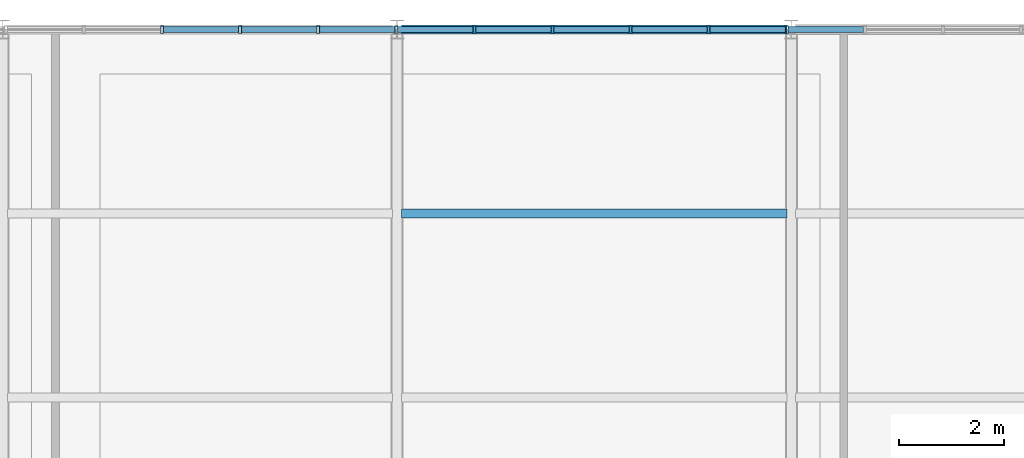
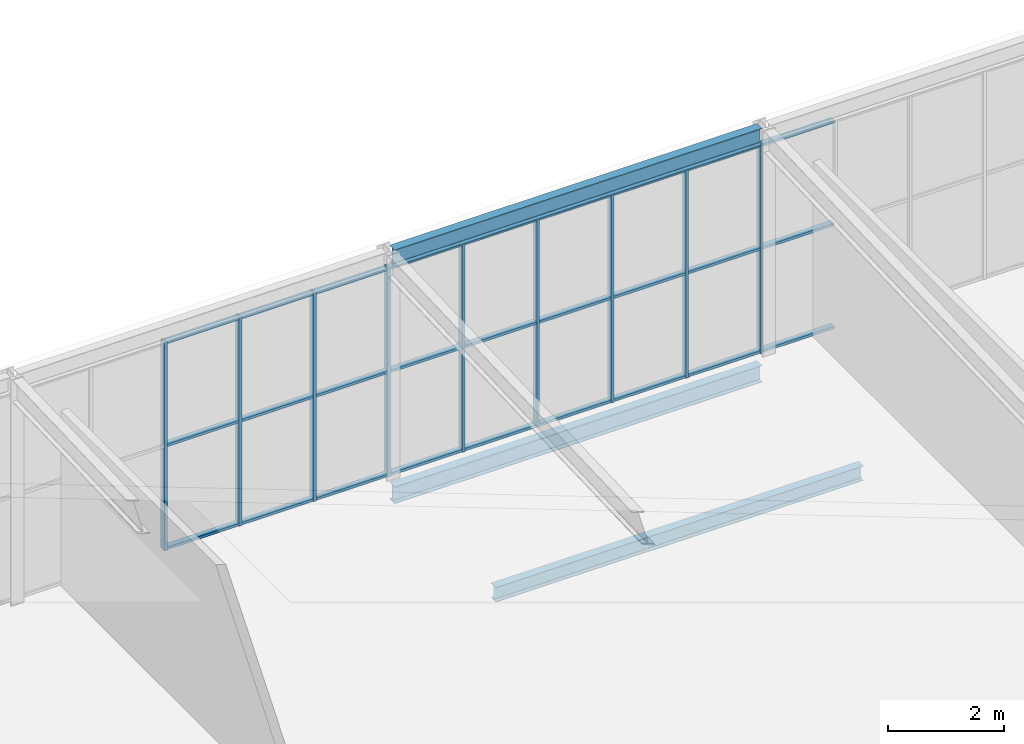
# One storey, part 19 of 27: 36 members, 3 beams, 1 element without a shape of its own.
"""IFC4 building model written with IfcOpenShell, lengths in metres."""

from ifc_helpers import new_model, si_unit, direction, frame, origin, origin_2d, place, context, subcontext, project, spatial, hollow_rectangle, i_section, extrude, material, layer, layer_set, material_profile, profile_set, type_object, element, aggregate, save


model = new_model("IFC4")

# Units and contexts
model_context = context("Model", 3, precision=1e-05, world=origin(), true_north=direction((0.0, 1.0)))
body_context = subcontext(model_context, "Body", "Model", "MODEL_VIEW")
ifc_project = project(units=[si_unit("LENGTHUNIT", "METRE"), si_unit("AREAUNIT", "SQUARE_METRE"), si_unit("VOLUMEUNIT", "CUBIC_METRE"), si_unit("PLANEANGLEUNIT", "RADIAN"), si_unit("MASSUNIT", "GRAM", prefix="KILO")], contexts=[model_context])

# Site, building, storey
site_placement = place(None, origin())
site = spatial("IfcSite", under=ifc_project, at=site_placement, CompositionType="ELEMENT")
building_placement = place(site_placement, origin())
building = spatial("IfcBuilding", under=site, at=building_placement, Name="Solvenia Promenade Tram Depot", CompositionType="ELEMENT")
storey_placement = place(building_placement, frame((0.0, 0.0, 13.5)))
storey = spatial("IfcBuildingStorey", under=building, at=storey_placement, Name="L03", CompositionType="ELEMENT", Elevation=13.5)

# Curtain wall, members
ifc_material_1 = material(Name="Anodized aluminium AW-6063 T6", Category="aluminium")
ifc_layer = layer(ifc_material_1, 0.199951171875, Name="Anodized aluminium AW-6063 T6", Category="aluminium")
ifc_layer_set = layer_set([ifc_layer], Name="Anodized aluminium AW-6063 T6")
curtain_wall_type = type_object("IfcCurtainWallType", Name="CW-OCC-1500", PredefinedType="NOTDEFINED", material=ifc_layer_set)
curtain_wall_placement = place(storey_placement, origin())
curtain_wall = element("IfcCurtainWall", 1, at=curtain_wall_placement, inside=storey, type_object=curtain_wall_type, Name="Curtain Wall CW-L03-V2N", PredefinedType="NOTDEFINED")
ifc_material_profile_1 = material_profile(ifc_material_1, hollow_rectangle(XDim=0.139892578125, YDim=0.054931640625, WallThickness=0.00390625, at=origin_2d()), Name="ALU-M4", Category="aluminium")
ifc_profile_set_1 = profile_set([ifc_material_profile_1], Name="Anodized aluminium AW-6063 T6")
member_type_1 = type_object("IfcMemberType", Name="CWM-Mullion-4", PredefinedType="MULLION", material=ifc_profile_set_1)
member_1_placement = place(storey_placement, frame((138.028564453125, 66.0, 0.0), z_axis=(0.0, 0.0, 1.0), x_axis=(0.0, 1.0, 0.0)))
member_1 = element("IfcMember", 2, at=member_1_placement, type_object=member_type_1, Name="CW-8 mullion 13", PredefinedType="MULLION", context=body_context, shape_type="SweptSolid", body=[
    extrude(hollow_rectangle(XDim=0.139892578125, YDim=0.054931640625, WallThickness=0.00390625, at=origin_2d()), origin(), (0.0, 0.0, 1.0), 4.39990234375),
])
member_2_placement = place(storey_placement, frame((139.514404296875, 66.0, 0.0), z_axis=(0.0, 0.0, 1.0), x_axis=(0.0, 1.0, 0.0)))
member_2 = element("IfcMember", 3, at=member_2_placement, type_object=member_type_1, Name="CW-8 mullion 14", PredefinedType="MULLION", context=body_context, shape_type="SweptSolid", body=[
    extrude(hollow_rectangle(XDim=0.139892578125, YDim=0.054931640625, WallThickness=0.00390625, at=origin_2d()), origin(), (0.0, 0.0, 1.0), 4.39990234375),
])
member_3_placement = place(storey_placement, frame((141.0, 66.0, 0.0), z_axis=(0.0, 0.0, 1.0), x_axis=(0.0, 1.0, 0.0)))
member_3 = element("IfcMember", 4, at=member_3_placement, type_object=member_type_1, Name="CW-8 mullion 15", PredefinedType="MULLION", context=body_context, shape_type="SweptSolid", body=[
    extrude(hollow_rectangle(XDim=0.139892578125, YDim=0.054931640625, WallThickness=0.00390625, at=origin_2d()), origin(), (0.0, 0.0, 1.0), 4.39990234375),
])
member_4_placement = place(storey_placement, frame((142.485595703125, 66.0, 0.0), z_axis=(0.0, 0.0, 1.0), x_axis=(0.0, 1.0, 0.0)))
member_4 = element("IfcMember", 5, at=member_4_placement, type_object=member_type_1, Name="CW-8 mullion 16", PredefinedType="MULLION", context=body_context, shape_type="SweptSolid", body=[
    extrude(hollow_rectangle(XDim=0.139892578125, YDim=0.054931640625, WallThickness=0.00390625, at=origin_2d()), origin(), (0.0, 0.0, 1.0), 4.39990234375),
])
member_5_placement = place(storey_placement, frame((143.971435546875, 66.0, 0.0), z_axis=(0.0, 0.0, 1.0), x_axis=(0.0, 1.0, 0.0)))
member_5 = element("IfcMember", 6, at=member_5_placement, type_object=member_type_1, Name="CW-8 mullion 17", PredefinedType="MULLION", context=body_context, shape_type="SweptSolid", body=[
    extrude(hollow_rectangle(XDim=0.139892578125, YDim=0.054931640625, WallThickness=0.00390625, at=origin_2d()), origin(), (0.0, 0.0, 1.0), 4.39990234375),
])
member_6_placement = place(storey_placement, frame((145.45703125, 66.0, 0.0), z_axis=(0.0, 0.0, 1.0), x_axis=(0.0, 1.0, 0.0)))
member_6 = element("IfcMember", 7, at=member_6_placement, type_object=member_type_1, Name="CW-8 mullion 18", PredefinedType="MULLION", context=body_context, shape_type="SweptSolid", body=[
    extrude(hollow_rectangle(XDim=0.139892578125, YDim=0.054931640625, WallThickness=0.00390625, at=origin_2d()), origin(), (0.0, 0.0, 1.0), 4.39990234375),
])
member_7_placement = place(storey_placement, frame((146.94287109375, 66.0, 0.0), z_axis=(0.0, 0.0, 1.0), x_axis=(0.0, 1.0, 0.0)))
member_7 = element("IfcMember", 8, at=member_7_placement, type_object=member_type_1, Name="CW-8 mullion 19", PredefinedType="MULLION", context=body_context, shape_type="SweptSolid", body=[
    extrude(hollow_rectangle(XDim=0.139892578125, YDim=0.054931640625, WallThickness=0.00390625, at=origin_2d()), origin(), (0.0, 0.0, 1.0), 4.39990234375),
])
member_8_placement = place(storey_placement, frame((148.428466796875, 66.0, 0.0), z_axis=(0.0, 0.0, 1.0), x_axis=(0.0, 1.0, 0.0)))
member_8 = element("IfcMember", 9, at=member_8_placement, type_object=member_type_1, Name="CW-8 mullion 20", PredefinedType="MULLION", context=body_context, shape_type="SweptSolid", body=[
    extrude(hollow_rectangle(XDim=0.139892578125, YDim=0.054931640625, WallThickness=0.00390625, at=origin_2d()), origin(), (0.0, 0.0, 1.0), 4.39990234375),
])
member_9_placement = place(storey_placement, frame((149.914306640625, 66.0, 0.0), z_axis=(0.0, 0.0, 1.0), x_axis=(0.0, 1.0, 0.0)))
member_9 = element("IfcMember", 10, at=member_9_placement, type_object=member_type_1, Name="CW-8 mullion 21", PredefinedType="MULLION", context=body_context, shape_type="SweptSolid", body=[
    extrude(hollow_rectangle(XDim=0.139892578125, YDim=0.054931640625, WallThickness=0.00390625, at=origin_2d()), origin(), (0.0, 0.0, 1.0), 4.39990234375),
])
ifc_material_profile_2 = material_profile(ifc_material_1, hollow_rectangle(XDim=0.110107421875, YDim=0.054931640625, WallThickness=0.00390625, at=origin_2d()), Name="ALU-T4", Category="aluminium")
ifc_profile_set_2 = profile_set([ifc_material_profile_2], Name="Anodized aluminium AW-6063 T6")
member_type_2 = type_object("IfcMemberType", Name="CWT-Transom-4", PredefinedType="USERDEFINED", material=ifc_profile_set_2)
member_10_placement = place(storey_placement, frame((138.05615234375, 66.0, 0.027587890625), z_axis=(1.0, 0.0, 0.0), x_axis=(0.0, 1.0, 0.0)))
member_10 = element("IfcMember", 11, at=member_10_placement, type_object=member_type_2, Name="CW-8 transom 13.1", ObjectType="TRANSOM", PredefinedType="USERDEFINED", context=body_context, shape_type="SweptSolid", body=[
    extrude(hollow_rectangle(XDim=0.110107421875, YDim=0.054931640625, WallThickness=0.00390625, at=origin_2d()), origin(), (0.0, 0.0, 1.0), 1.4306640625),
])
member_11_placement = place(storey_placement, frame((138.05615234375, 66.0, 2.199951171875), z_axis=(1.0, 0.0, 0.0), x_axis=(0.0, 1.0, 0.0)))
member_11 = element("IfcMember", 12, at=member_11_placement, type_object=member_type_2, Name="CW-8 transom 13.2", ObjectType="TRANSOM", PredefinedType="USERDEFINED", context=body_context, shape_type="SweptSolid", body=[
    extrude(hollow_rectangle(XDim=0.110107421875, YDim=0.054931640625, WallThickness=0.00390625, at=origin_2d()), origin(), (0.0, 0.0, 1.0), 1.4306640625),
])
member_12_placement = place(storey_placement, frame((138.05615234375, 66.0, 4.37255859375), z_axis=(1.0, 0.0, 0.0), x_axis=(0.0, 1.0, 0.0)))
member_12 = element("IfcMember", 13, at=member_12_placement, type_object=member_type_2, Name="CW-8 transom 13.3", ObjectType="TRANSOM", PredefinedType="USERDEFINED", context=body_context, shape_type="SweptSolid", body=[
    extrude(hollow_rectangle(XDim=0.110107421875, YDim=0.054931640625, WallThickness=0.00390625, at=origin_2d()), origin(), (0.0, 0.0, 1.0), 1.4306640625),
])
member_13_placement = place(storey_placement, frame((139.541748046875, 66.0, 0.027587890625), z_axis=(1.0, 0.0, 0.0), x_axis=(0.0, 1.0, 0.0)))
member_13 = element("IfcMember", 14, at=member_13_placement, type_object=member_type_2, Name="CW-8 transom 14.1", ObjectType="TRANSOM", PredefinedType="USERDEFINED", context=body_context, shape_type="SweptSolid", body=[
    extrude(hollow_rectangle(XDim=0.110107421875, YDim=0.054931640625, WallThickness=0.00390625, at=origin_2d()), origin(), (0.0, 0.0, 1.0), 1.4306640625),
])
member_14_placement = place(storey_placement, frame((139.541748046875, 66.0, 2.199951171875), z_axis=(1.0, 0.0, 0.0), x_axis=(0.0, 1.0, 0.0)))
member_14 = element("IfcMember", 15, at=member_14_placement, type_object=member_type_2, Name="CW-8 transom 14.2", ObjectType="TRANSOM", PredefinedType="USERDEFINED", context=body_context, shape_type="SweptSolid", body=[
    extrude(hollow_rectangle(XDim=0.110107421875, YDim=0.054931640625, WallThickness=0.00390625, at=origin_2d()), origin(), (0.0, 0.0, 1.0), 1.4306640625),
])
member_15_placement = place(storey_placement, frame((139.541748046875, 66.0, 4.37255859375), z_axis=(1.0, 0.0, 0.0), x_axis=(0.0, 1.0, 0.0)))
member_15 = element("IfcMember", 16, at=member_15_placement, type_object=member_type_2, Name="CW-8 transom 14.3", ObjectType="TRANSOM", PredefinedType="USERDEFINED", context=body_context, shape_type="SweptSolid", body=[
    extrude(hollow_rectangle(XDim=0.110107421875, YDim=0.054931640625, WallThickness=0.00390625, at=origin_2d()), origin(), (0.0, 0.0, 1.0), 1.4306640625),
])
member_16_placement = place(storey_placement, frame((141.027587890625, 66.0, 0.027587890625), z_axis=(1.0, 0.0, 0.0), x_axis=(0.0, 1.0, 0.0)))
member_16 = element("IfcMember", 17, at=member_16_placement, type_object=member_type_2, Name="CW-8 transom 15.1", ObjectType="TRANSOM", PredefinedType="USERDEFINED", context=body_context, shape_type="SweptSolid", body=[
    extrude(hollow_rectangle(XDim=0.110107421875, YDim=0.054931640625, WallThickness=0.00390625, at=origin_2d()), origin(), (0.0, 0.0, 1.0), 1.4306640625),
])
member_17_placement = place(storey_placement, frame((141.027587890625, 66.0, 2.199951171875), z_axis=(1.0, 0.0, 0.0), x_axis=(0.0, 1.0, 0.0)))
member_17 = element("IfcMember", 18, at=member_17_placement, type_object=member_type_2, Name="CW-8 transom 15.2", ObjectType="TRANSOM", PredefinedType="USERDEFINED", context=body_context, shape_type="SweptSolid", body=[
    extrude(hollow_rectangle(XDim=0.110107421875, YDim=0.054931640625, WallThickness=0.00390625, at=origin_2d()), origin(), (0.0, 0.0, 1.0), 1.4306640625),
])
member_18_placement = place(storey_placement, frame((141.027587890625, 66.0, 4.37255859375), z_axis=(1.0, 0.0, 0.0), x_axis=(0.0, 1.0, 0.0)))
member_18 = element("IfcMember", 19, at=member_18_placement, type_object=member_type_2, Name="CW-8 transom 15.3", ObjectType="TRANSOM", PredefinedType="USERDEFINED", context=body_context, shape_type="SweptSolid", body=[
    extrude(hollow_rectangle(XDim=0.110107421875, YDim=0.054931640625, WallThickness=0.00390625, at=origin_2d()), origin(), (0.0, 0.0, 1.0), 1.4306640625),
])
member_19_placement = place(storey_placement, frame((142.51318359375, 66.0, 0.027587890625), z_axis=(1.0, 0.0, 0.0), x_axis=(0.0, 1.0, 0.0)))
member_19 = element("IfcMember", 20, at=member_19_placement, type_object=member_type_2, Name="CW-8 transom 16.1", ObjectType="TRANSOM", PredefinedType="USERDEFINED", context=body_context, shape_type="SweptSolid", body=[
    extrude(hollow_rectangle(XDim=0.110107421875, YDim=0.054931640625, WallThickness=0.00390625, at=origin_2d()), origin(), (0.0, 0.0, 1.0), 1.4306640625),
])
member_20_placement = place(storey_placement, frame((142.51318359375, 66.0, 2.199951171875), z_axis=(1.0, 0.0, 0.0), x_axis=(0.0, 1.0, 0.0)))
member_20 = element("IfcMember", 21, at=member_20_placement, type_object=member_type_2, Name="CW-8 transom 16.2", ObjectType="TRANSOM", PredefinedType="USERDEFINED", context=body_context, shape_type="SweptSolid", body=[
    extrude(hollow_rectangle(XDim=0.110107421875, YDim=0.054931640625, WallThickness=0.00390625, at=origin_2d()), origin(), (0.0, 0.0, 1.0), 1.4306640625),
])
member_21_placement = place(storey_placement, frame((142.51318359375, 66.0, 4.37255859375), z_axis=(1.0, 0.0, 0.0), x_axis=(0.0, 1.0, 0.0)))
member_21 = element("IfcMember", 22, at=member_21_placement, type_object=member_type_2, Name="CW-8 transom 16.3", ObjectType="TRANSOM", PredefinedType="USERDEFINED", context=body_context, shape_type="SweptSolid", body=[
    extrude(hollow_rectangle(XDim=0.110107421875, YDim=0.054931640625, WallThickness=0.00390625, at=origin_2d()), origin(), (0.0, 0.0, 1.0), 1.4306640625),
])
member_22_placement = place(storey_placement, frame((143.9990234375, 66.0, 0.027587890625), z_axis=(1.0, 0.0, 0.0), x_axis=(0.0, 1.0, 0.0)))
member_22 = element("IfcMember", 23, at=member_22_placement, type_object=member_type_2, Name="CW-8 transom 17.1", ObjectType="TRANSOM", PredefinedType="USERDEFINED", context=body_context, shape_type="SweptSolid", body=[
    extrude(hollow_rectangle(XDim=0.110107421875, YDim=0.054931640625, WallThickness=0.00390625, at=origin_2d()), origin(), (0.0, 0.0, 1.0), 1.4306640625),
])
member_23_placement = place(storey_placement, frame((143.9990234375, 66.0, 2.199951171875), z_axis=(1.0, 0.0, 0.0), x_axis=(0.0, 1.0, 0.0)))
member_23 = element("IfcMember", 24, at=member_23_placement, type_object=member_type_2, Name="CW-8 transom 17.2", ObjectType="TRANSOM", PredefinedType="USERDEFINED", context=body_context, shape_type="SweptSolid", body=[
    extrude(hollow_rectangle(XDim=0.110107421875, YDim=0.054931640625, WallThickness=0.00390625, at=origin_2d()), origin(), (0.0, 0.0, 1.0), 1.4306640625),
])
member_24_placement = place(storey_placement, frame((143.9990234375, 66.0, 4.37255859375), z_axis=(1.0, 0.0, 0.0), x_axis=(0.0, 1.0, 0.0)))
member_24 = element("IfcMember", 25, at=member_24_placement, type_object=member_type_2, Name="CW-8 transom 17.3", ObjectType="TRANSOM", PredefinedType="USERDEFINED", context=body_context, shape_type="SweptSolid", body=[
    extrude(hollow_rectangle(XDim=0.110107421875, YDim=0.054931640625, WallThickness=0.00390625, at=origin_2d()), origin(), (0.0, 0.0, 1.0), 1.4306640625),
])
member_25_placement = place(storey_placement, frame((145.484619140625, 66.0, 0.027587890625), z_axis=(1.0, 0.0, 0.0), x_axis=(0.0, 1.0, 0.0)))
member_25 = element("IfcMember", 26, at=member_25_placement, type_object=member_type_2, Name="CW-8 transom 18.1", ObjectType="TRANSOM", PredefinedType="USERDEFINED", context=body_context, shape_type="SweptSolid", body=[
    extrude(hollow_rectangle(XDim=0.110107421875, YDim=0.054931640625, WallThickness=0.00390625, at=origin_2d()), origin(), (0.0, 0.0, 1.0), 1.4306640625),
])
member_26_placement = place(storey_placement, frame((145.484619140625, 66.0, 2.199951171875), z_axis=(1.0, 0.0, 0.0), x_axis=(0.0, 1.0, 0.0)))
member_26 = element("IfcMember", 27, at=member_26_placement, type_object=member_type_2, Name="CW-8 transom 18.2", ObjectType="TRANSOM", PredefinedType="USERDEFINED", context=body_context, shape_type="SweptSolid", body=[
    extrude(hollow_rectangle(XDim=0.110107421875, YDim=0.054931640625, WallThickness=0.00390625, at=origin_2d()), origin(), (0.0, 0.0, 1.0), 1.4306640625),
])
member_27_placement = place(storey_placement, frame((145.484619140625, 66.0, 4.37255859375), z_axis=(1.0, 0.0, 0.0), x_axis=(0.0, 1.0, 0.0)))
member_27 = element("IfcMember", 28, at=member_27_placement, type_object=member_type_2, Name="CW-8 transom 18.3", ObjectType="TRANSOM", PredefinedType="USERDEFINED", context=body_context, shape_type="SweptSolid", body=[
    extrude(hollow_rectangle(XDim=0.110107421875, YDim=0.054931640625, WallThickness=0.00390625, at=origin_2d()), origin(), (0.0, 0.0, 1.0), 1.4306640625),
])
member_28_placement = place(storey_placement, frame((146.970458984375, 66.0, 0.027587890625), z_axis=(1.0, 0.0, 0.0), x_axis=(0.0, 1.0, 0.0)))
member_28 = element("IfcMember", 29, at=member_28_placement, type_object=member_type_2, Name="CW-8 transom 19.1", ObjectType="TRANSOM", PredefinedType="USERDEFINED", context=body_context, shape_type="SweptSolid", body=[
    extrude(hollow_rectangle(XDim=0.110107421875, YDim=0.054931640625, WallThickness=0.00390625, at=origin_2d()), origin(), (0.0, 0.0, 1.0), 1.4306640625),
])
member_29_placement = place(storey_placement, frame((146.970458984375, 66.0, 2.199951171875), z_axis=(1.0, 0.0, 0.0), x_axis=(0.0, 1.0, 0.0)))
member_29 = element("IfcMember", 30, at=member_29_placement, type_object=member_type_2, Name="CW-8 transom 19.2", ObjectType="TRANSOM", PredefinedType="USERDEFINED", context=body_context, shape_type="SweptSolid", body=[
    extrude(hollow_rectangle(XDim=0.110107421875, YDim=0.054931640625, WallThickness=0.00390625, at=origin_2d()), origin(), (0.0, 0.0, 1.0), 1.4306640625),
])
member_30_placement = place(storey_placement, frame((146.970458984375, 66.0, 4.37255859375), z_axis=(1.0, 0.0, 0.0), x_axis=(0.0, 1.0, 0.0)))
member_30 = element("IfcMember", 31, at=member_30_placement, type_object=member_type_2, Name="CW-8 transom 19.3", ObjectType="TRANSOM", PredefinedType="USERDEFINED", context=body_context, shape_type="SweptSolid", body=[
    extrude(hollow_rectangle(XDim=0.110107421875, YDim=0.054931640625, WallThickness=0.00390625, at=origin_2d()), origin(), (0.0, 0.0, 1.0), 1.4306640625),
])
member_31_placement = place(storey_placement, frame((148.4560546875, 66.0, 0.027587890625), z_axis=(1.0, 0.0, 0.0), x_axis=(0.0, 1.0, 0.0)))
member_31 = element("IfcMember", 32, at=member_31_placement, type_object=member_type_2, Name="CW-8 transom 20.1", ObjectType="TRANSOM", PredefinedType="USERDEFINED", context=body_context, shape_type="SweptSolid", body=[
    extrude(hollow_rectangle(XDim=0.110107421875, YDim=0.054931640625, WallThickness=0.00390625, at=origin_2d()), origin(), (0.0, 0.0, 1.0), 1.4306640625),
])
member_32_placement = place(storey_placement, frame((148.4560546875, 66.0, 2.199951171875), z_axis=(1.0, 0.0, 0.0), x_axis=(0.0, 1.0, 0.0)))
member_32 = element("IfcMember", 33, at=member_32_placement, type_object=member_type_2, Name="CW-8 transom 20.2", ObjectType="TRANSOM", PredefinedType="USERDEFINED", context=body_context, shape_type="SweptSolid", body=[
    extrude(hollow_rectangle(XDim=0.110107421875, YDim=0.054931640625, WallThickness=0.00390625, at=origin_2d()), origin(), (0.0, 0.0, 1.0), 1.4306640625),
])
member_33_placement = place(storey_placement, frame((148.4560546875, 66.0, 4.37255859375), z_axis=(1.0, 0.0, 0.0), x_axis=(0.0, 1.0, 0.0)))
member_33 = element("IfcMember", 34, at=member_33_placement, type_object=member_type_2, Name="CW-8 transom 20.3", ObjectType="TRANSOM", PredefinedType="USERDEFINED", context=body_context, shape_type="SweptSolid", body=[
    extrude(hollow_rectangle(XDim=0.110107421875, YDim=0.054931640625, WallThickness=0.00390625, at=origin_2d()), origin(), (0.0, 0.0, 1.0), 1.4306640625),
])
member_34_placement = place(storey_placement, frame((149.94189453125, 66.0, 0.027587890625), z_axis=(1.0, 0.0, 0.0), x_axis=(0.0, 1.0, 0.0)))
member_34 = element("IfcMember", 35, at=member_34_placement, type_object=member_type_2, Name="CW-8 transom 21.1", ObjectType="TRANSOM", PredefinedType="USERDEFINED", context=body_context, shape_type="SweptSolid", body=[
    extrude(hollow_rectangle(XDim=0.110107421875, YDim=0.054931640625, WallThickness=0.00390625, at=origin_2d()), origin(), (0.0, 0.0, 1.0), 1.4306640625),
])
member_35_placement = place(storey_placement, frame((149.94189453125, 66.0, 2.199951171875), z_axis=(1.0, 0.0, 0.0), x_axis=(0.0, 1.0, 0.0)))
member_35 = element("IfcMember", 36, at=member_35_placement, type_object=member_type_2, Name="CW-8 transom 21.2", ObjectType="TRANSOM", PredefinedType="USERDEFINED", context=body_context, shape_type="SweptSolid", body=[
    extrude(hollow_rectangle(XDim=0.110107421875, YDim=0.054931640625, WallThickness=0.00390625, at=origin_2d()), origin(), (0.0, 0.0, 1.0), 1.4306640625),
])
member_36_placement = place(storey_placement, frame((149.94189453125, 66.0, 4.37255859375), z_axis=(1.0, 0.0, 0.0), x_axis=(0.0, 1.0, 0.0)))
member_36 = element("IfcMember", 37, at=member_36_placement, type_object=member_type_2, Name="CW-8 transom 21.3", ObjectType="TRANSOM", PredefinedType="USERDEFINED", context=body_context, shape_type="SweptSolid", body=[
    extrude(hollow_rectangle(XDim=0.110107421875, YDim=0.054931640625, WallThickness=0.00390625, at=origin_2d()), origin(), (0.0, 0.0, 1.0), 1.4306640625),
])
aggregate(curtain_wall, [member_1, member_2, member_3, member_4, member_5, member_6, member_7, member_8, member_9, member_10, member_11, member_12, member_13, member_14, member_15, member_16, member_17, member_18, member_19, member_20, member_21, member_22, member_23, member_24, member_25, member_26, member_27, member_28, member_29, member_30, member_31, member_32, member_33, member_34, member_35, member_36])

# Beams
ifc_material_2 = material(Name="Structural steel ASTM A992 Gr. 50", Category="steel")
ifc_material_profile_3 = material_profile(ifc_material_2, i_section(OverallWidth=0.166015625, OverallDepth=0.31298828125, WebThickness=0.006591796875, FlangeThickness=0.01123046875, FilletRadius=0.010009765625, at=origin_2d()), Name="W310x45", Category="steel")
ifc_profile_set_3 = profile_set([ifc_material_profile_3], Name="Structural steel ASTM A992 Gr. 50")
beam_type_1 = type_object("IfcBeamType", Name="Joist-W310x45", PredefinedType="JOIST", material=ifc_profile_set_3)
beam_placement = place(storey_placement, frame((142.5849609375, 62.5, -0.396484375), z_axis=(1.0, 0.0, 0.0), x_axis=(0.0, 1.0, 0.0)))
element("IfcBeam", 38, at=beam_placement, inside=storey, type_object=beam_type_1, Name="Secondary Floor Joist BM-L03-0643", PredefinedType="JOIST", context=body_context, shape_type="SweptSolid", body=[
    extrude(i_section(OverallWidth=0.166015625, OverallDepth=0.31298828125, WebThickness=0.006591796875, FlangeThickness=0.01123046875, FilletRadius=0.010009765625, at=origin_2d()), origin(), (0.0, 0.0, 1.0), 7.330078125),
])
ifc_material_profile_4 = material_profile(ifc_material_2, i_section(OverallWidth=0.172119140625, OverallDepth=0.35791015625, WebThickness=0.0078125, FlangeThickness=0.01318359375, FilletRadius=0.010986328125, at=origin_2d()), Name="W360x57", Category="steel")
ifc_profile_set_4 = profile_set([ifc_material_profile_4], Name="Structural steel ASTM A992 Gr. 50")
beam_type_2 = type_object("IfcBeamType", Name="Spandrel-W360x57", PredefinedType="SPANDREL", material=ifc_profile_set_4)
for number, where, z_axis, x_axis, name in (
    (39, (142.5849609375, 66.0, -0.4189453125), (1.0, 0.0, 0.0), (0.0, 1.0, 0.0), "Perimeter Spandrel BM-L03-0608"),
    (40, (142.5849609375, 66.0, 4.5810546875), (1.0, 0.0, 0.0), (0.0, 1.0, 0.0), "Control Hub Roof Girder BM-L03-0902"),
):
    element("IfcBeam", number, at=place(storey_placement, frame(where, z_axis=z_axis, x_axis=x_axis)), inside=storey, type_object=beam_type_2, Name=name, PredefinedType="SPANDREL", context=body_context, shape_type="SweptSolid", body=[
        extrude(i_section(OverallWidth=0.172119140625, OverallDepth=0.35791015625, WebThickness=0.0078125, FlangeThickness=0.01318359375, FilletRadius=0.010986328125, at=origin_2d()), origin(), (0.0, 0.0, 1.0), 7.330078125),
    ])

save(model, "model.ifc")
